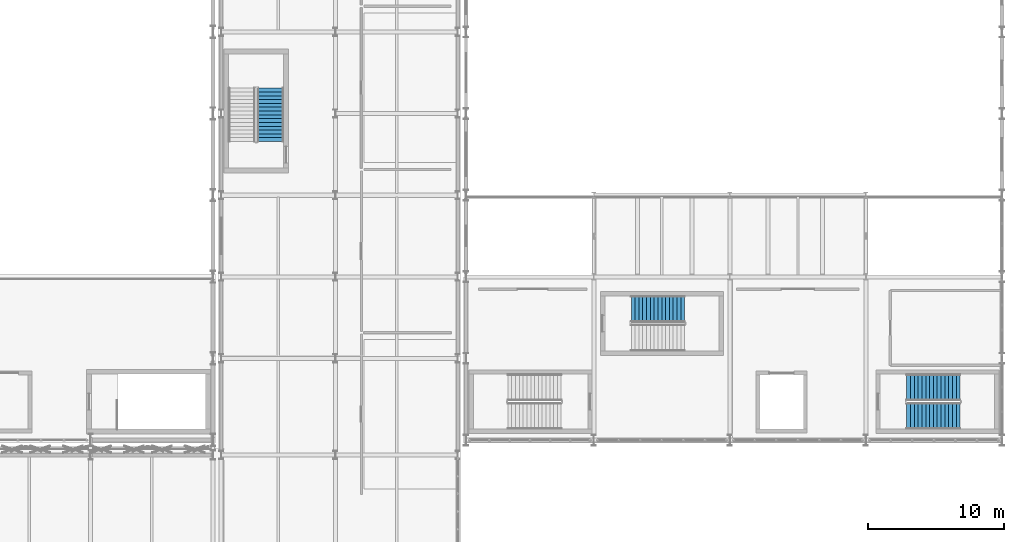
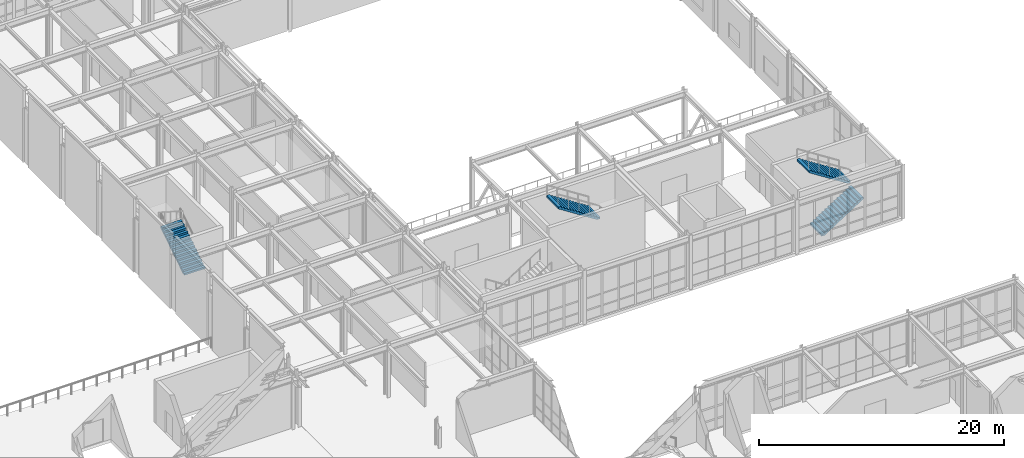
# One storey, part 164 of 210: 4 stair flights, 3 elements without a shape of their own.
"""IFC4 building model written with IfcOpenShell, lengths in metres."""

from ifc_helpers import new_model, si_unit, direction, frame, origin, place, context, subcontext, project, spatial, polyline, outline, extrude, material, type_object, element, aggregate, save


model = new_model("IFC4")

# Units and contexts
model_context = context("Model", 3, precision=1e-05, world=origin(), true_north=direction((0.0, 1.0)))
body_context = subcontext(model_context, "Body", "Model", "MODEL_VIEW")
ifc_project = project(units=[si_unit("LENGTHUNIT", "METRE"), si_unit("AREAUNIT", "SQUARE_METRE"), si_unit("VOLUMEUNIT", "CUBIC_METRE"), si_unit("PLANEANGLEUNIT", "RADIAN"), si_unit("MASSUNIT", "GRAM", prefix="KILO")], contexts=[model_context])

# Site, building, storey
site_placement = place(None, origin())
site = spatial("IfcSite", under=ifc_project, at=site_placement, CompositionType="ELEMENT")
building_placement = place(site_placement, origin())
building = spatial("IfcBuilding", under=site, at=building_placement, Name="Kaldris Quays Convention Centre", CompositionType="ELEMENT")
storey_placement = place(building_placement, frame((0.0, 0.0, 6.0)))
storey = spatial("IfcBuildingStorey", under=building, at=storey_placement, Name="L01", CompositionType="ELEMENT", Elevation=6.0)

# Stair, stair flights
ifc_material = material(Name="Concrete C35/45", Category="concrete")
stair_type = type_object("IfcStairType", Name="DOGLEG ESCAPE STAIR STF1", PredefinedType="TWO_STRAIGHT_RUN_STAIR", material=ifc_material)
stair_1_placement = place(storey_placement, origin())
stair_1 = element("IfcStair", 1, at=stair_1_placement, inside=storey, type_object=stair_type, Name="L01 Escape Stair ST09", PredefinedType="TWO_STRAIGHT_RUN_STAIR")
stair_flight_type = type_object("IfcStairFlightType", Name="STAIR FLIGHT SF01", PredefinedType="STRAIGHT", material=ifc_material)
stair_flight_1_placement = place(storey_placement, frame((197.0, 57.77490234375, 0.0), z_axis=(0.0, 0.0, 1.0), x_axis=(1.0, 0.0, 0.0)))
stair_flight_1 = element("IfcStairFlight", 2, at=stair_flight_1_placement, type_object=stair_flight_type, Name="STF1 flight 1", NumberOfRisers=15, NumberOfTreads=14, PredefinedType="STRAIGHT", RiserHeight=0.18, TreadLength=0.28, context=body_context, shape_type="SweptSolid", body=[
    extrude(outline(polyline([(0.0, 0.0), (0.0, 0.179931640625), (0.280029296875, 0.179931640625), (0.280029296875, 0.360107421875), (0.56005859375, 0.360107421875), (0.56005859375, 0.5400390625), (0.840087890625, 0.5400390625), (0.840087890625, 0.719970703125), (1.1201171875, 0.719970703125), (1.1201171875, 0.89990234375), (1.39990234375, 0.89990234375), (1.39990234375, 1.080078125), (1.679931640625, 1.080078125), (1.679931640625, 1.260009765625), (1.9599609375, 1.260009765625), (1.9599609375, 1.43994140625), (2.239990234375, 1.43994140625), (2.239990234375, 1.6201171875), (2.52001953125, 1.6201171875), (2.52001953125, 1.800048828125), (2.800048828125, 1.800048828125), (2.800048828125, 1.97998046875), (3.080078125, 1.97998046875), (3.080078125, 2.159912109375), (3.360107421875, 2.159912109375), (3.360107421875, 2.340087890625), (3.639892578125, 2.340087890625), (3.639892578125, 2.52001953125), (3.919921875, 2.52001953125), (3.919921875, 2.699951171875), (3.919921875, 2.341796875), (0.277099609375, 0.0), (0.0, 0.0)])), frame((0.0, 0.97509765625, 0.0), z_axis=(0.0, -1.0, 0.0), x_axis=(1.0, 0.0, 0.0)), (0.0, 0.0, 1.0), 1.949951171875),
])
stair_flight_2_placement = place(storey_placement, frame((200.919921875, 59.875, 2.699951171875), z_axis=(0.0, 0.0, 1.0), x_axis=(-1.0, 0.0, 0.0)))
stair_flight_2 = element("IfcStairFlight", 3, at=stair_flight_2_placement, type_object=stair_flight_type, Name="STF1 flight 2", NumberOfRisers=15, NumberOfTreads=14, PredefinedType="STRAIGHT", RiserHeight=0.18, TreadLength=0.28, context=body_context, shape_type="SweptSolid", body=[
    extrude(outline(polyline([(0.0, 0.0), (0.0, 0.179931640625), (0.280029296875, 0.179931640625), (0.280029296875, 0.360107421875), (0.56005859375, 0.360107421875), (0.56005859375, 0.5400390625), (0.840087890625, 0.5400390625), (0.840087890625, 0.719970703125), (1.1201171875, 0.719970703125), (1.1201171875, 0.89990234375), (1.39990234375, 0.89990234375), (1.39990234375, 1.080078125), (1.679931640625, 1.080078125), (1.679931640625, 1.260009765625), (1.9599609375, 1.260009765625), (1.9599609375, 1.43994140625), (2.239990234375, 1.43994140625), (2.239990234375, 1.6201171875), (2.52001953125, 1.6201171875), (2.52001953125, 1.800048828125), (2.800048828125, 1.800048828125), (2.800048828125, 1.97998046875), (3.080078125, 1.97998046875), (3.080078125, 2.159912109375), (3.360107421875, 2.159912109375), (3.360107421875, 2.340087890625), (3.639892578125, 2.340087890625), (3.639892578125, 2.52001953125), (3.919921875, 2.52001953125), (3.919921875, 2.699951171875), (3.919921875, 2.341796875), (0.277099609375, 0.0), (0.0, 0.0)])), frame((0.0, 0.97509765625, 0.0), z_axis=(0.0, -1.0, 0.0), x_axis=(1.0, 0.0, 0.0)), (0.0, 0.0, 1.0), 1.949951171875),
])
aggregate(stair_1, [stair_flight_1, stair_flight_2])

# Stair, stair flight
stair_2_placement = place(storey_placement, origin())
stair_2 = element("IfcStair", 4, at=stair_2_placement, inside=storey, type_object=stair_type, Name="L01 Escape Stair ST10", PredefinedType="TWO_STRAIGHT_RUN_STAIR")
stair_flight_3_placement = place(storey_placement, frame((180.669921875, 65.625, 2.699951171875), z_axis=(0.0, 0.0, 1.0), x_axis=(-1.0, 0.0, 0.0)))
stair_flight_3 = element("IfcStairFlight", 5, at=stair_flight_3_placement, type_object=stair_flight_type, Name="STF1 flight 2", NumberOfRisers=15, NumberOfTreads=14, PredefinedType="STRAIGHT", RiserHeight=0.18, TreadLength=0.28, context=body_context, shape_type="SweptSolid", body=[
    extrude(outline(polyline([(0.0, 0.0), (0.0, 0.179931640625), (0.280029296875, 0.179931640625), (0.280029296875, 0.360107421875), (0.56005859375, 0.360107421875), (0.56005859375, 0.5400390625), (0.840087890625, 0.5400390625), (0.840087890625, 0.719970703125), (1.1201171875, 0.719970703125), (1.1201171875, 0.89990234375), (1.39990234375, 0.89990234375), (1.39990234375, 1.080078125), (1.679931640625, 1.080078125), (1.679931640625, 1.260009765625), (1.9599609375, 1.260009765625), (1.9599609375, 1.43994140625), (2.239990234375, 1.43994140625), (2.239990234375, 1.6201171875), (2.52001953125, 1.6201171875), (2.52001953125, 1.800048828125), (2.800048828125, 1.800048828125), (2.800048828125, 1.97998046875), (3.080078125, 1.97998046875), (3.080078125, 2.159912109375), (3.360107421875, 2.159912109375), (3.360107421875, 2.340087890625), (3.639892578125, 2.340087890625), (3.639892578125, 2.52001953125), (3.919921875, 2.52001953125), (3.919921875, 2.699951171875), (3.919921875, 2.341796875), (0.277099609375, 0.0), (0.0, 0.0)])), frame((0.0, 0.97509765625, 0.0), z_axis=(0.0, -1.0, 0.0), x_axis=(1.0, 0.0, 0.0)), (0.0, 0.0, 1.0), 1.949951171875),
])
aggregate(stair_2, [stair_flight_3])

stair_3_placement = place(storey_placement, origin())
stair_3 = element("IfcStair", 6, at=stair_3_placement, inside=storey, type_object=stair_type, Name="L01 Escape Stair ST14", PredefinedType="TWO_STRAIGHT_RUN_STAIR")
stair_flight_4_placement = place(storey_placement, frame((150.22509765625, 77.949951171875, 0.0), z_axis=(0.0, 0.0, 1.0), x_axis=(0.0, 1.0, 0.0)))
stair_flight_4 = element("IfcStairFlight", 7, at=stair_flight_4_placement, type_object=stair_flight_type, Name="STF1 flight 1", NumberOfRisers=15, NumberOfTreads=14, PredefinedType="STRAIGHT", RiserHeight=0.18, TreadLength=0.28, context=body_context, shape_type="SweptSolid", body=[
    extrude(outline(polyline([(0.0, 0.0), (0.0, 0.179931640625), (0.280029296875, 0.179931640625), (0.280029296875, 0.360107421875), (0.56005859375, 0.360107421875), (0.56005859375, 0.5400390625), (0.840087890625, 0.5400390625), (0.840087890625, 0.719970703125), (1.1201171875, 0.719970703125), (1.1201171875, 0.89990234375), (1.39990234375, 0.89990234375), (1.39990234375, 1.080078125), (1.679931640625, 1.080078125), (1.679931640625, 1.260009765625), (1.9599609375, 1.260009765625), (1.9599609375, 1.43994140625), (2.239990234375, 1.43994140625), (2.239990234375, 1.6201171875), (2.52001953125, 1.6201171875), (2.52001953125, 1.800048828125), (2.800048828125, 1.800048828125), (2.800048828125, 1.97998046875), (3.080078125, 1.97998046875), (3.080078125, 2.159912109375), (3.360107421875, 2.159912109375), (3.360107421875, 2.340087890625), (3.639892578125, 2.340087890625), (3.639892578125, 2.52001953125), (3.919921875, 2.52001953125), (3.919921875, 2.699951171875), (3.919921875, 2.341796875), (0.277099609375, 0.0), (0.0, 0.0)])), frame((0.0, 0.97509765625, 0.0), z_axis=(0.0, -1.0, 0.0), x_axis=(1.0, 0.0, 0.0)), (0.0, 0.0, 1.0), 1.949951171875),
])
aggregate(stair_3, [stair_flight_4])

save(model, "model.ifc")
